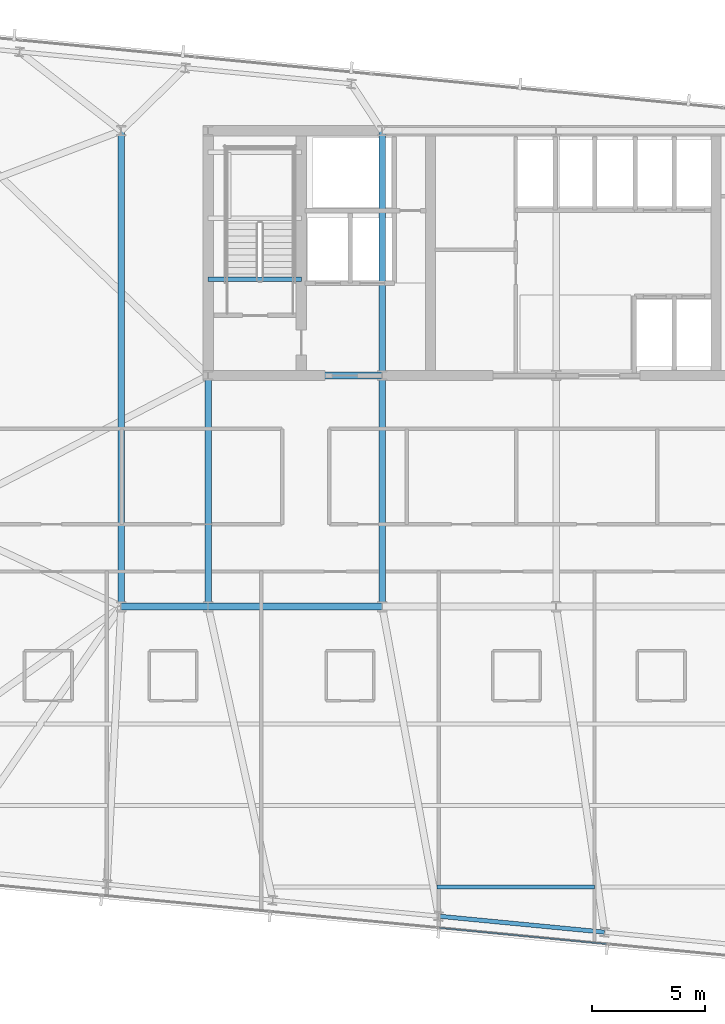
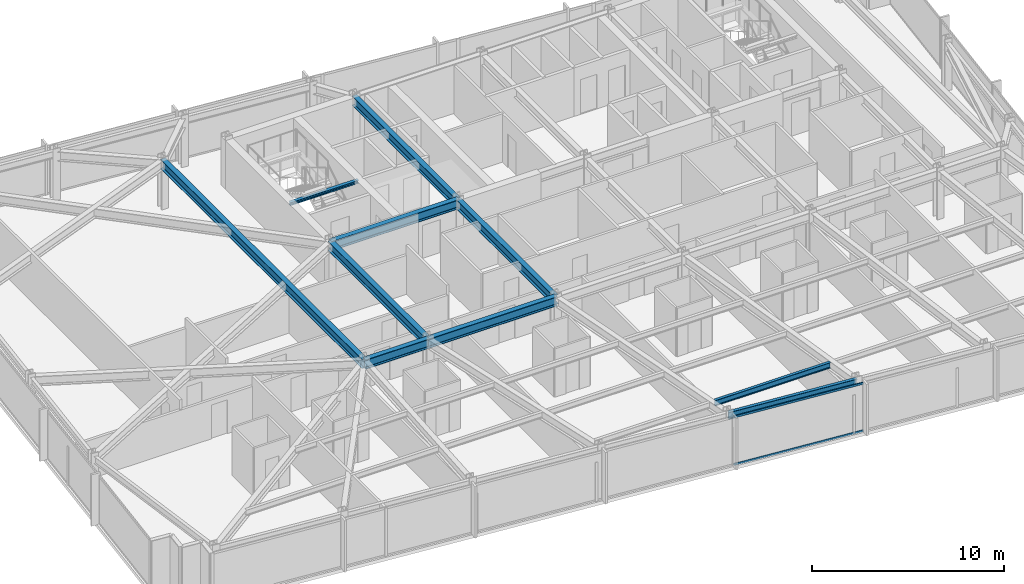
# One storey, part 11 of 38: 10 beams, 2 members, 1 element without a shape of its own.
"""IFC4 building model written with IfcOpenShell, lengths in metres."""

import ifcopenshell
import ifcopenshell.guid

model = None  # the IFC model being written
_history = None  # IfcOwnerHistory: only IFC2X3 demands one
_inside = {}  # id of a spatial element -> (the spatial element, [elements in it])
_under = {}  # id of a project, library or spatial element -> (it, [spatial elements below it])
_declared = {}  # id of a project -> (the project, [libraries it declares])
_typed = {}  # id of a type object -> (the type object, [elements of that type])
_made_of = {}  # id of a material, layer set ... -> (it, [elements and type objects made of it])


def new_model(schema):
    """Start an empty IFC model of exactly this schema.

    Asked for "IFC4X3", IfcOpenShell would pick the latest addendum, in which some entities
    have other attributes; the version numbers below select the first issue.
    IFC2X3 requires an IfcOwnerHistory on every rooted entity: one is made here for all.
    """
    global model, _history
    if schema == "IFC4X3":
        model = ifcopenshell.file(schema_version=(4, 3, 0, 0))
    else:
        model = ifcopenshell.file(schema=schema)
    _inside.clear()
    _under.clear()
    _declared.clear()
    _typed.clear()
    _made_of.clear()
    _history = None
    if model.schema == "IFC2X3":
        org = make("IfcOrganization", Name="unknown")
        user = make(
            "IfcPersonAndOrganization",
            ThePerson=make("IfcPerson", FamilyName="unknown"),
            TheOrganization=org,
        )
        app = make(
            "IfcApplication",
            ApplicationDeveloper=org,
            Version="unknown",
            ApplicationFullName="unknown",
            ApplicationIdentifier="unknown",
        )
        _history = make(
            "IfcOwnerHistory",
            OwningUser=user,
            OwningApplication=app,
            ChangeAction="ADDED",
            CreationDate=0,
        )
    return model


def make(cls, **values):
    """One entity of the class cls with the attributes given. An attribute that is None is left unset."""
    return model.create_entity(
        cls, **{name: value for name, value in values.items() if value is not None}
    )


def rooted(cls, **values):
    """An entity with a GlobalId (a new one), such as an element, a storey or a relation."""
    return make(cls, GlobalId=ifcopenshell.guid.new(), OwnerHistory=_history, **values)


def si_unit(unit_type, name, prefix=None):
    """IfcSIUnit, for example si_unit("LENGTHUNIT", "METRE", prefix="MILLI")."""
    return make("IfcSIUnit", UnitType=unit_type, Prefix=prefix, Name=name)


def assignment(units):
    """IfcUnitAssignment: the units of a project."""
    return None if units is None else make("IfcUnitAssignment", Units=units)


def point(xyz):
    """IfcCartesianPoint."""
    return None if xyz is None else make("IfcCartesianPoint", Coordinates=xyz)


def direction(xyz):
    """IfcDirection."""
    return None if xyz is None else make("IfcDirection", DirectionRatios=xyz)


def frame(location, z_axis=None, x_axis=None):
    """IfcAxis2Placement3D, a coordinate frame: its origin and axes. An axis left out is left unset."""
    return make(
        "IfcAxis2Placement3D",
        Location=point(location),
        Axis=direction(z_axis),
        RefDirection=direction(x_axis),
    )


def frame_2d(location, x_axis=None):
    """IfcAxis2Placement2D, a coordinate frame in the plane: its origin and x axis."""
    return make(
        "IfcAxis2Placement2D", Location=point(location), RefDirection=direction(x_axis)
    )


def origin():
    """The frame at (0, 0, 0) with its axes left unset."""
    return frame((0.0, 0.0, 0.0))


def origin_2d():
    """The frame at (0, 0) in the plane with its x axis left unset."""
    return frame_2d((0.0, 0.0))


def place(relative_to, where):
    """IfcLocalPlacement: puts the frame where relative to a parent placement (None: the world)."""
    return make(
        "IfcLocalPlacement", PlacementRelTo=relative_to, RelativePlacement=where
    )


def context(
    kind, dimensions, precision=None, world=None, true_north=None, identifier=None
):
    """IfcGeometricRepresentationContext, for example the 3D "Model" context."""
    return make(
        "IfcGeometricRepresentationContext",
        ContextIdentifier=identifier,
        ContextType=kind,
        CoordinateSpaceDimension=dimensions,
        Precision=precision,
        WorldCoordinateSystem=world,
        TrueNorth=true_north,
    )


def subcontext(parent, identifier, kind, view, scale=None):
    """IfcGeometricRepresentationSubContext, for example "Body" below "Model"."""
    return make(
        "IfcGeometricRepresentationSubContext",
        ContextIdentifier=identifier,
        ContextType=kind,
        ParentContext=parent,
        TargetScale=scale,
        TargetView=view,
    )


def project(units=None, contexts=None):
    """IfcProject with its units and contexts."""
    return rooted(
        "IfcProject",
        Name="project",
        RepresentationContexts=contexts,
        UnitsInContext=assignment(units),
    )


def spatial(cls, under=None, at=None, **own):
    """A site, building, storey or space (cls), placed at a placement, below another one or the project."""
    s = rooted(cls, ObjectPlacement=at, **own)
    if under is not None:
        _under.setdefault(under.id(), (under, []))[1].append(s)
    return s


def profile(cls, at=None, kind="AREA", **sizes):
    """A parametric profile (cls). Its sizes go by their IFC names, for example OverallWidth=200.0."""
    return make(cls, ProfileType=kind, Position=at, **sizes)


def hollow_rectangle(**sizes):
    """IfcRectangleHollowProfileDef."""
    return profile("IfcRectangleHollowProfileDef", **sizes)


def i_section(**sizes):
    """IfcIShapeProfileDef."""
    return profile("IfcIShapeProfileDef", **sizes)


def extrude(swept, where, along, depth):
    """IfcExtrudedAreaSolid: the profile swept, set in the frame where, extruded along a direction by depth."""
    return make(
        "IfcExtrudedAreaSolid",
        SweptArea=swept,
        Position=where,
        ExtrudedDirection=direction(along),
        Depth=depth,
    )


def shape(context_of_items, identifier, shape_type, items):
    """IfcShapeRepresentation: the items that make up one representation, for example the "Body"."""
    return make(
        "IfcShapeRepresentation",
        ContextOfItems=context_of_items,
        RepresentationIdentifier=identifier,
        RepresentationType=shape_type,
        Items=items,
    )


def material(Name=None, Category=None):
    """IfcMaterial."""
    return make("IfcMaterial", Name=Name, Category=Category)


def material_profile(
    of_material, cross_section, Name=None, Category=None, Priority=None
):
    """IfcMaterialProfile: a cross section and its material."""
    return make(
        "IfcMaterialProfile",
        Name=Name,
        Material=of_material,
        Profile=cross_section,
        Priority=Priority,
        Category=Category,
    )


def profile_set(profiles, Name=None, composite=None):
    """IfcMaterialProfileSet."""
    return make(
        "IfcMaterialProfileSet",
        Name=Name,
        MaterialProfiles=profiles,
        CompositeProfile=composite,
    )


def made_of(thing, what):
    """Note that an element or type object is made of a material, layer set ...; save() writes the relation."""
    if what is not None:
        _made_of.setdefault(what.id(), (what, []))[1].append(thing)
    return thing


def type_object(cls, material=None, **own):
    """A type object (cls), such as IfcWallType, which elements share."""
    return made_of(rooted(cls, **own), material)


def element(
    cls,
    number,
    at=None,
    inside=None,
    cuts=None,
    type_object=None,
    material=None,
    context=None,
    identifier="Body",
    shape_type=None,
    held_by="IfcProductDefinitionShape",
    body=None,
    shapes=None,
    **own,
):
    """One element of the class cls, such as IfcWall. Its Tag is "e" and its number.

    at: its placement. inside: the storey or other place that contains it. cuts: it is an
    opening in that element (IfcRelVoidsElement). A single representation is given by context,
    identifier, shape_type and body (its items); several are given by shapes. held_by: the class
    of the entity that holds the representations. save() writes the other relations.
    """
    e = rooted(cls, Tag="e%d" % number, ObjectPlacement=at, **own)
    if body is not None:
        shapes = [shape(context, identifier, shape_type, body)]
    if shapes is not None:
        e.Representation = make(held_by, Representations=shapes)
    if inside is not None:
        _inside.setdefault(inside.id(), (inside, []))[1].append(e)
    if cuts is not None:
        rooted(
            "IfcRelVoidsElement", RelatingBuildingElement=cuts, RelatedOpeningElement=e
        )
    if type_object is not None:
        _typed.setdefault(type_object.id(), (type_object, []))[1].append(e)
    return made_of(e, material)


def aggregate(whole, parts):
    """IfcRelAggregates: a whole, such as a stair, and the parts it consists of."""
    return rooted("IfcRelAggregates", RelatingObject=whole, RelatedObjects=parts)


def save(model, path):
    """Write the relations noted so far, then the file.

    IfcRelAggregates (storeys below a building ...), IfcRelContainedInSpatialStructure (elements
    in a storey), IfcRelDefinesByType, IfcRelAssociatesMaterial and IfcRelDeclares: one each for
    every whole, place, type object, material and project.
    """
    for whole, parts in _under.values():
        aggregate(whole, parts)
    for where, things in _inside.values():
        rooted(
            "IfcRelContainedInSpatialStructure",
            RelatedElements=things,
            RelatingStructure=where,
        )
    for kind, things in _typed.values():
        rooted("IfcRelDefinesByType", RelatedObjects=things, RelatingType=kind)
    for what, things in _made_of.values():
        rooted("IfcRelAssociatesMaterial", RelatedObjects=things, RelatingMaterial=what)
    for by, libraries in _declared.values():
        rooted("IfcRelDeclares", RelatingContext=by, RelatedDefinitions=libraries)
    model.write(path)


model = new_model("IFC4")

# Units and contexts
model_context = context("Model", 3, precision=1e-05, world=origin(), true_north=direction((0.0, 1.0)))
body_context = subcontext(model_context, "Body", "Model", "MODEL_VIEW")
ifc_project = project(units=[si_unit("LENGTHUNIT", "METRE"), si_unit("AREAUNIT", "SQUARE_METRE"), si_unit("VOLUMEUNIT", "CUBIC_METRE"), si_unit("PLANEANGLEUNIT", "RADIAN"), si_unit("MASSUNIT", "GRAM", prefix="KILO")], contexts=[model_context])

# Site, building, storey
site_placement = place(None, origin())
site = spatial("IfcSite", under=ifc_project, at=site_placement, CompositionType="ELEMENT")
building_placement = place(site_placement, origin())
building = spatial("IfcBuilding", under=site, at=building_placement, Name="Yelkora Congress Tower", CompositionType="ELEMENT")
storey_placement = place(building_placement, frame((0.0, 0.0, 172.10009765625)))
storey = spatial("IfcBuildingStorey", under=building, at=storey_placement, Name="L47", CompositionType="ELEMENT", Elevation=172.10009765625)

# Beams
ifc_material_1 = material(Name="Steel S355J2", Category="steel")
ifc_material_profile_1 = material_profile(ifc_material_1, i_section(OverallWidth=0.300048828125, OverallDepth=0.60009765625, WebThickness=0.015380859375, FlangeThickness=0.030029296875, FilletRadius=0.027099609375, at=origin_2d()), Name="HEB 600")
ifc_profile_set_1 = profile_set([ifc_material_profile_1], Name="Steel S355J2")
beam_type_1 = type_object("IfcBeamType", Name="BM-GIRD-HEB600", PredefinedType="BEAM", material=ifc_profile_set_1)
beam_1_placement = place(storey_placement, frame((19.199951171875, 25.199951171875, 2.77978515625), z_axis=(1.0, 0.0, 0.0), x_axis=(0.0, 1.0, 0.0)))
element("IfcBeam", 1, at=beam_1_placement, inside=storey, type_object=beam_type_1, Name="L47 Spine Grid D Girder 1", PredefinedType="BEAM", context=body_context, shape_type="SweptSolid", body=[
    extrude(i_section(OverallWidth=0.300048828125, OverallDepth=0.60009765625, WebThickness=0.015380859375, FlangeThickness=0.030029296875, FilletRadius=0.027099609375, at=origin_2d()), origin(), (0.0, 0.0, 1.0), 3.840087890625),
])
for number, where, z_axis, x_axis, name in (
    (2, (23.0400390625, 25.199951171875, 2.77978515625), (1.0, 0.0, 0.0), (0.0, 1.0, 0.0), "L47 Spine Grid D Girder 2"),
    (3, (23.0400390625, 35.39990234375, 2.77978515625), (1.0, 0.0, 0.0), (0.0, 1.0, 0.0), "L47 Core South Girder 1"),
):
    element("IfcBeam", number, at=place(storey_placement, frame(where, z_axis=z_axis, x_axis=x_axis)), inside=storey, type_object=beam_type_1, Name=name, PredefinedType="BEAM", context=body_context, shape_type="SweptSolid", body=[
        extrude(i_section(OverallWidth=0.300048828125, OverallDepth=0.60009765625, WebThickness=0.015380859375, FlangeThickness=0.030029296875, FilletRadius=0.027099609375, at=origin_2d()), origin(), (0.0, 0.0, 1.0), 7.679931640625),
    ])
for number, where, z_axis, x_axis, name in (
    (4, (23.0400390625, 25.199951171875, 2.77978515625), (0.0, 1.0, 0.0), (-1.0, 0.0, 0.0), "L47 Core Tie Girder MC-D1"),
    (5, (30.719970703125, 25.199951171875, 2.77978515625), (0.0, 1.0, 0.0), (-1.0, 0.0, 0.0), "L47 Core Tie Girder MC-D2"),
):
    element("IfcBeam", number, at=place(storey_placement, frame(where, z_axis=z_axis, x_axis=x_axis)), inside=storey, type_object=beam_type_1, Name=name, PredefinedType="BEAM", context=body_context, shape_type="SweptSolid", body=[
        extrude(i_section(OverallWidth=0.300048828125, OverallDepth=0.60009765625, WebThickness=0.015380859375, FlangeThickness=0.030029296875, FilletRadius=0.027099609375, at=origin_2d()), origin(), (0.0, 0.0, 1.0), 10.199951171875),
    ])
beam_2_placement = place(storey_placement, frame((30.719970703125, 35.39990234375, 2.77978515625), z_axis=(0.0, 1.0, 0.0), x_axis=(-1.0, 0.0, 0.0)))
element("IfcBeam", 6, at=beam_2_placement, inside=storey, type_object=beam_type_1, Name="L47 Core Tie Girder MC-S2", PredefinedType="BEAM", context=body_context, shape_type="SweptSolid", body=[
    extrude(i_section(OverallWidth=0.300048828125, OverallDepth=0.60009765625, WebThickness=0.015380859375, FlangeThickness=0.030029296875, FilletRadius=0.027099609375, at=origin_2d()), origin(), (0.0, 0.0, 1.0), 10.800048828125),
])
beam_3_placement = place(storey_placement, frame((19.199951171875, 25.199951171875, 2.77978515625), z_axis=(0.0, 1.0, 0.0), x_axis=(-1.0, 0.0, 0.0)))
element("IfcBeam", 7, at=beam_3_placement, inside=storey, type_object=beam_type_1, Name="L47 Neck Flank Girder MC-F1", PredefinedType="BEAM", context=body_context, shape_type="SweptSolid", body=[
    extrude(i_section(OverallWidth=0.300048828125, OverallDepth=0.60009765625, WebThickness=0.015380859375, FlangeThickness=0.030029296875, FilletRadius=0.027099609375, at=origin_2d()), origin(), (0.0, 0.0, 1.0), 21.0),
])
ifc_material_profile_2 = material_profile(ifc_material_1, i_section(OverallWidth=0.169921875, OverallDepth=0.360107421875, WebThickness=0.008056640625, FlangeThickness=0.0126953125, FilletRadius=0.01806640625, at=origin_2d()), Name="IPE 360")
ifc_profile_set_2 = profile_set([ifc_material_profile_2], Name="Steel S355J2")
beam_type_2 = type_object("IfcBeamType", Name="BM-JOIST-IPE360", PredefinedType="JOIST", material=ifc_profile_set_2)
beam_4_placement = place(storey_placement, frame((33.137939453125, 12.8212890625, 2.89990234375), z_axis=(1.0, 0.0, 0.0), x_axis=(0.0, 1.0, 0.0)))
element("IfcBeam", 8, at=beam_4_placement, inside=storey, type_object=beam_type_2, Name="L47 Composite Floor Joist 2", PredefinedType="JOIST", context=body_context, shape_type="SweptSolid", body=[
    extrude(i_section(OverallWidth=0.169921875, OverallDepth=0.360107421875, WebThickness=0.008056640625, FlangeThickness=0.0126953125, FilletRadius=0.01806640625, at=origin_2d()), origin(), (0.0, 0.0, 1.0), 6.94189453125),
])
ifc_material_profile_3 = material_profile(ifc_material_1, i_section(OverallWidth=0.199951171875, OverallDepth=0.18994140625, WebThickness=0.006591796875, FlangeThickness=0.010009765625, FilletRadius=0.01806640625, at=origin_2d()), Name="HEA 200")
ifc_profile_set_3 = profile_set([ifc_material_profile_3], Name="Steel S355J2")
beam_type_3 = type_object("IfcBeamType", Name="BM-LAND-HEA200", PredefinedType="BEAM", material=ifc_profile_set_3)
beam_5_placement = place(storey_placement, frame((23.0400390625, 39.639892578125, 2.853759765625), z_axis=(1.0, 0.0, 0.0), x_axis=(0.0, 1.0, 0.0)))
element("IfcBeam", 9, at=beam_5_placement, inside=storey, type_object=beam_type_3, Name="ST-01 L47 Floor Arrival Stringer Header Beam", PredefinedType="BEAM", context=body_context, shape_type="SweptSolid", body=[
    extrude(i_section(OverallWidth=0.199951171875, OverallDepth=0.18994140625, WebThickness=0.006591796875, FlangeThickness=0.010009765625, FilletRadius=0.01806640625, at=origin_2d()), origin(), (0.0, 0.0, 1.0), 4.10986328125),
])
ifc_material_profile_4 = material_profile(ifc_material_1, i_section(OverallWidth=0.18994140625, OverallDepth=0.449951171875, WebThickness=0.009521484375, FlangeThickness=0.0146484375, FilletRadius=0.02099609375, at=origin_2d()), Name="IPE 450")
ifc_profile_set_4 = profile_set([ifc_material_profile_4], Name="Steel S355J2")
beam_type_4 = type_object("IfcBeamType", Name="BM-SPAN-IPE450", PredefinedType="SPANDREL", material=ifc_profile_set_4)
beam_6_placement = place(storey_placement, frame((33.21240234375, 11.53662109375, 2.85498046875), z_axis=(0.995397104697, -0.095836339457, 0.0), x_axis=(0.095836339457, 0.995397104697, 0.0)))
element("IfcBeam", 10, at=beam_6_placement, inside=storey, type_object=beam_type_4, Name="L47 Perimeter Beam 6", PredefinedType="SPANDREL", context=body_context, shape_type="SweptSolid", body=[
    extrude(i_section(OverallWidth=0.18994140625, OverallDepth=0.449951171875, WebThickness=0.009521484375, FlangeThickness=0.0146484375, FilletRadius=0.02099609375, at=origin_2d()), origin(), (0.0, 0.0, 1.0), 7.357177734375),
])

# Curtain wall, members
ifc_material_2 = material(Name="Anodised aluminium and insulated glass", Category="aluminium")
curtain_wall_type = type_object("IfcCurtainWallType", Name="CW-SYS-B3", PredefinedType="NOTDEFINED", material=ifc_material_2)
curtain_wall_placement = place(storey_placement, origin())
curtain_wall = element("IfcCurtainWall", 11, at=curtain_wall_placement, inside=storey, type_object=curtain_wall_type, Name="L47 Unitised Curtain Wall 20", PredefinedType="NOTDEFINED")
ifc_material_3 = material(Name="Anodised aluminium 6063-T6", Category="aluminium")
ifc_material_profile_5 = material_profile(ifc_material_3, hollow_rectangle(XDim=0.06005859375, YDim=0.1298828125, WallThickness=0.00390625, at=origin_2d()), Name="ALU 60x130x4")
ifc_profile_set_5 = profile_set([ifc_material_profile_5], Name="Anodised aluminium 6063-T6")
member_type = type_object("IfcMemberType", Name="MEM-TR-B3", PredefinedType="USERDEFINED", material=ifc_profile_set_5)
member_1_placement = place(storey_placement, frame((40.626708984375, 10.310302734375, 0.02978515625), z_axis=(-0.99539548672, 0.095853142967, 0.0), x_axis=(-0.095853142967, -0.99539548672, 0.0)))
member_1 = element("IfcMember", 12, at=member_1_placement, type_object=member_type, Name="CW-B3 transom 3.1", ObjectType="TRANSOM", PredefinedType="USERDEFINED", context=body_context, shape_type="SweptSolid", body=[
    extrude(hollow_rectangle(XDim=0.06005859375, YDim=0.1298828125, WallThickness=0.00390625, at=origin_2d()), origin(), (0.0, 0.0, 1.0), 7.404296875),
])
member_2_placement = place(storey_placement, frame((40.626708984375, 10.310302734375, 3.0498046875), z_axis=(-0.99539548672, 0.095853142967, 0.0), x_axis=(-0.095853142967, -0.99539548672, 0.0)))
member_2 = element("IfcMember", 13, at=member_2_placement, type_object=member_type, Name="CW-B3 transom 3.2", ObjectType="TRANSOM", PredefinedType="USERDEFINED", context=body_context, shape_type="SweptSolid", body=[
    extrude(hollow_rectangle(XDim=0.06005859375, YDim=0.1298828125, WallThickness=0.00390625, at=origin_2d()), origin(), (0.0, 0.0, 1.0), 7.404296875),
])
aggregate(curtain_wall, [member_1, member_2])

save(model, "model.ifc")
